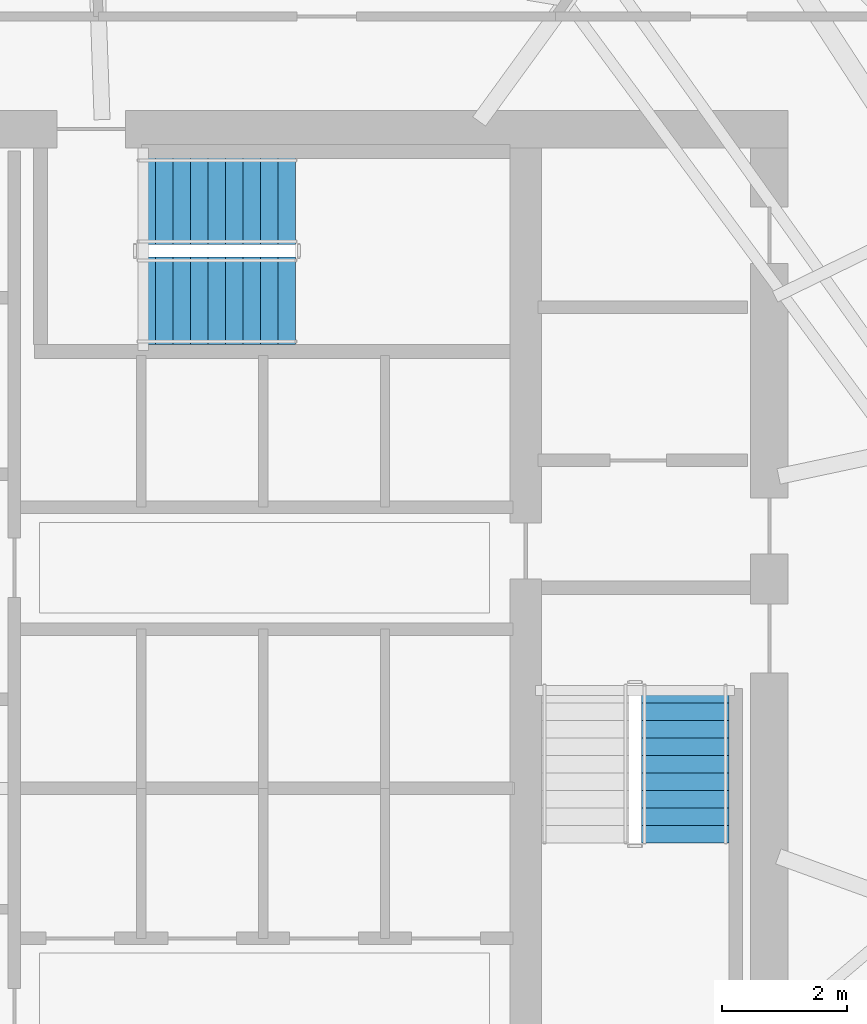
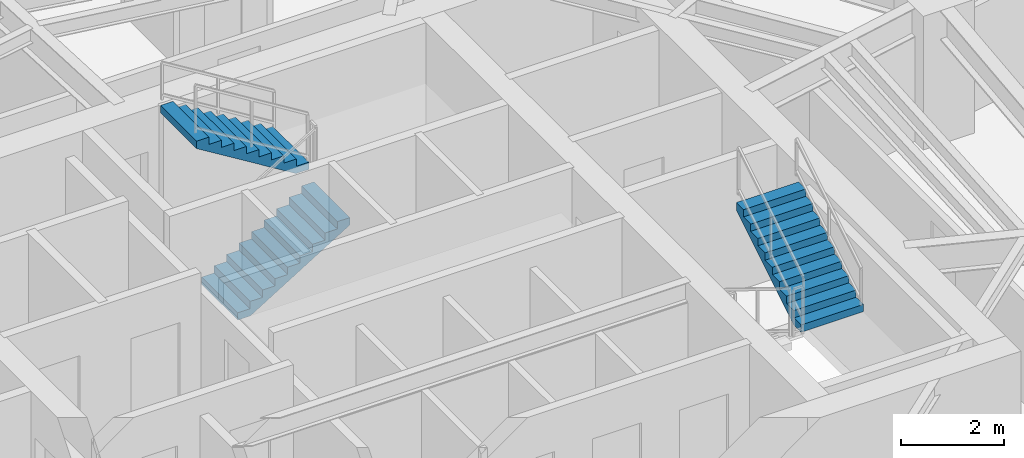
# One storey, part 27 of 30: 3 stair flights, 2 elements without a shape of their own.
"""IFC4 building model written with IfcOpenShell, lengths in metres."""

import ifcopenshell
import ifcopenshell.guid

model = None  # the IFC model being written
_history = None  # IfcOwnerHistory: only IFC2X3 demands one
_inside = {}  # id of a spatial element -> (the spatial element, [elements in it])
_under = {}  # id of a project, library or spatial element -> (it, [spatial elements below it])
_declared = {}  # id of a project -> (the project, [libraries it declares])
_typed = {}  # id of a type object -> (the type object, [elements of that type])
_made_of = {}  # id of a material, layer set ... -> (it, [elements and type objects made of it])


def new_model(schema):
    """Start an empty IFC model of exactly this schema.

    Asked for "IFC4X3", IfcOpenShell would pick the latest addendum, in which some entities
    have other attributes; the version numbers below select the first issue.
    IFC2X3 requires an IfcOwnerHistory on every rooted entity: one is made here for all.
    """
    global model, _history
    if schema == "IFC4X3":
        model = ifcopenshell.file(schema_version=(4, 3, 0, 0))
    else:
        model = ifcopenshell.file(schema=schema)
    _inside.clear()
    _under.clear()
    _declared.clear()
    _typed.clear()
    _made_of.clear()
    _history = None
    if model.schema == "IFC2X3":
        org = make("IfcOrganization", Name="unknown")
        user = make(
            "IfcPersonAndOrganization",
            ThePerson=make("IfcPerson", FamilyName="unknown"),
            TheOrganization=org,
        )
        app = make(
            "IfcApplication",
            ApplicationDeveloper=org,
            Version="unknown",
            ApplicationFullName="unknown",
            ApplicationIdentifier="unknown",
        )
        _history = make(
            "IfcOwnerHistory",
            OwningUser=user,
            OwningApplication=app,
            ChangeAction="ADDED",
            CreationDate=0,
        )
    return model


def make(cls, **values):
    """One entity of the class cls with the attributes given. An attribute that is None is left unset."""
    return model.create_entity(
        cls, **{name: value for name, value in values.items() if value is not None}
    )


def rooted(cls, **values):
    """An entity with a GlobalId (a new one), such as an element, a storey or a relation."""
    return make(cls, GlobalId=ifcopenshell.guid.new(), OwnerHistory=_history, **values)


def si_unit(unit_type, name, prefix=None):
    """IfcSIUnit, for example si_unit("LENGTHUNIT", "METRE", prefix="MILLI")."""
    return make("IfcSIUnit", UnitType=unit_type, Prefix=prefix, Name=name)


def assignment(units):
    """IfcUnitAssignment: the units of a project."""
    return None if units is None else make("IfcUnitAssignment", Units=units)


def point(xyz):
    """IfcCartesianPoint."""
    return None if xyz is None else make("IfcCartesianPoint", Coordinates=xyz)


def direction(xyz):
    """IfcDirection."""
    return None if xyz is None else make("IfcDirection", DirectionRatios=xyz)


def frame(location, z_axis=None, x_axis=None):
    """IfcAxis2Placement3D, a coordinate frame: its origin and axes. An axis left out is left unset."""
    return make(
        "IfcAxis2Placement3D",
        Location=point(location),
        Axis=direction(z_axis),
        RefDirection=direction(x_axis),
    )


def origin():
    """The frame at (0, 0, 0) with its axes left unset."""
    return frame((0.0, 0.0, 0.0))


def place(relative_to, where):
    """IfcLocalPlacement: puts the frame where relative to a parent placement (None: the world)."""
    return make(
        "IfcLocalPlacement", PlacementRelTo=relative_to, RelativePlacement=where
    )


def context(
    kind, dimensions, precision=None, world=None, true_north=None, identifier=None
):
    """IfcGeometricRepresentationContext, for example the 3D "Model" context."""
    return make(
        "IfcGeometricRepresentationContext",
        ContextIdentifier=identifier,
        ContextType=kind,
        CoordinateSpaceDimension=dimensions,
        Precision=precision,
        WorldCoordinateSystem=world,
        TrueNorth=true_north,
    )


def subcontext(parent, identifier, kind, view, scale=None):
    """IfcGeometricRepresentationSubContext, for example "Body" below "Model"."""
    return make(
        "IfcGeometricRepresentationSubContext",
        ContextIdentifier=identifier,
        ContextType=kind,
        ParentContext=parent,
        TargetScale=scale,
        TargetView=view,
    )


def project(units=None, contexts=None):
    """IfcProject with its units and contexts."""
    return rooted(
        "IfcProject",
        Name="project",
        RepresentationContexts=contexts,
        UnitsInContext=assignment(units),
    )


def spatial(cls, under=None, at=None, **own):
    """A site, building, storey or space (cls), placed at a placement, below another one or the project."""
    s = rooted(cls, ObjectPlacement=at, **own)
    if under is not None:
        _under.setdefault(under.id(), (under, []))[1].append(s)
    return s


def polyline(points):
    """IfcPolyline through the points."""
    return make("IfcPolyline", Points=[point(p) for p in points])


def outline(outer, holes=None, kind="AREA"):
    """IfcArbitraryClosedProfileDef: a profile drawn as a closed curve; with holes, ...WithVoids."""
    if holes is None:
        return make("IfcArbitraryClosedProfileDef", ProfileType=kind, OuterCurve=outer)
    return make(
        "IfcArbitraryProfileDefWithVoids",
        ProfileType=kind,
        OuterCurve=outer,
        InnerCurves=holes,
    )


def extrude(swept, where, along, depth):
    """IfcExtrudedAreaSolid: the profile swept, set in the frame where, extruded along a direction by depth."""
    return make(
        "IfcExtrudedAreaSolid",
        SweptArea=swept,
        Position=where,
        ExtrudedDirection=direction(along),
        Depth=depth,
    )


def shape(context_of_items, identifier, shape_type, items):
    """IfcShapeRepresentation: the items that make up one representation, for example the "Body"."""
    return make(
        "IfcShapeRepresentation",
        ContextOfItems=context_of_items,
        RepresentationIdentifier=identifier,
        RepresentationType=shape_type,
        Items=items,
    )


def material(Name=None, Category=None):
    """IfcMaterial."""
    return make("IfcMaterial", Name=Name, Category=Category)


def made_of(thing, what):
    """Note that an element or type object is made of a material, layer set ...; save() writes the relation."""
    if what is not None:
        _made_of.setdefault(what.id(), (what, []))[1].append(thing)
    return thing


def type_object(cls, material=None, **own):
    """A type object (cls), such as IfcWallType, which elements share."""
    return made_of(rooted(cls, **own), material)


def element(
    cls,
    number,
    at=None,
    inside=None,
    cuts=None,
    type_object=None,
    material=None,
    context=None,
    identifier="Body",
    shape_type=None,
    held_by="IfcProductDefinitionShape",
    body=None,
    shapes=None,
    **own,
):
    """One element of the class cls, such as IfcWall. Its Tag is "e" and its number.

    at: its placement. inside: the storey or other place that contains it. cuts: it is an
    opening in that element (IfcRelVoidsElement). A single representation is given by context,
    identifier, shape_type and body (its items); several are given by shapes. held_by: the class
    of the entity that holds the representations. save() writes the other relations.
    """
    e = rooted(cls, Tag="e%d" % number, ObjectPlacement=at, **own)
    if body is not None:
        shapes = [shape(context, identifier, shape_type, body)]
    if shapes is not None:
        e.Representation = make(held_by, Representations=shapes)
    if inside is not None:
        _inside.setdefault(inside.id(), (inside, []))[1].append(e)
    if cuts is not None:
        rooted(
            "IfcRelVoidsElement", RelatingBuildingElement=cuts, RelatedOpeningElement=e
        )
    if type_object is not None:
        _typed.setdefault(type_object.id(), (type_object, []))[1].append(e)
    return made_of(e, material)


def aggregate(whole, parts):
    """IfcRelAggregates: a whole, such as a stair, and the parts it consists of."""
    return rooted("IfcRelAggregates", RelatingObject=whole, RelatedObjects=parts)


def save(model, path):
    """Write the relations noted so far, then the file.

    IfcRelAggregates (storeys below a building ...), IfcRelContainedInSpatialStructure (elements
    in a storey), IfcRelDefinesByType, IfcRelAssociatesMaterial and IfcRelDeclares: one each for
    every whole, place, type object, material and project.
    """
    for whole, parts in _under.values():
        aggregate(whole, parts)
    for where, things in _inside.values():
        rooted(
            "IfcRelContainedInSpatialStructure",
            RelatedElements=things,
            RelatingStructure=where,
        )
    for kind, things in _typed.values():
        rooted("IfcRelDefinesByType", RelatedObjects=things, RelatingType=kind)
    for what, things in _made_of.values():
        rooted("IfcRelAssociatesMaterial", RelatedObjects=things, RelatingMaterial=what)
    for by, libraries in _declared.values():
        rooted("IfcRelDeclares", RelatingContext=by, RelatedDefinitions=libraries)
    model.write(path)


model = new_model("IFC4")

# Units and contexts
model_context = context("Model", 3, precision=1e-05, world=origin(), true_north=direction((0.0, 1.0)))
body_context = subcontext(model_context, "Body", "Model", "MODEL_VIEW")
ifc_project = project(units=[si_unit("LENGTHUNIT", "METRE"), si_unit("AREAUNIT", "SQUARE_METRE"), si_unit("VOLUMEUNIT", "CUBIC_METRE"), si_unit("PLANEANGLEUNIT", "RADIAN"), si_unit("MASSUNIT", "GRAM", prefix="KILO")], contexts=[model_context])

# Site, building, storey
site_placement = place(None, origin())
site = spatial("IfcSite", under=ifc_project, at=site_placement, CompositionType="ELEMENT")
building_placement = place(site_placement, origin())
building = spatial("IfcBuilding", under=site, at=building_placement, Name="Qarnah Convention Tower", CompositionType="ELEMENT")
storey_placement = place(building_placement, frame((0.0, 0.0, 93.60009765625)))
storey = spatial("IfcBuildingStorey", under=building, at=storey_placement, Name="L24", CompositionType="ELEMENT", Elevation=93.60009765625)

# Stair, stair flight
ifc_material = material(Name="Concrete C50/60", Category="concrete")
stair_type = type_object("IfcStairType", Name="STR-HTL", PredefinedType="HALF_TURN_STAIR", material=ifc_material)
stair_1_placement = place(storey_placement, origin())
stair_1 = element("IfcStair", 1, at=stair_1_placement, inside=storey, type_object=stair_type, Name="L24 Core exit stair ST-2", PredefinedType="HALF_TURN_STAIR")
stair_flight_type = type_object("IfcStairFlightType", Name="FLT-HTL", PredefinedType="STRAIGHT", material=ifc_material)
stair_flight_1_placement = place(storey_placement, frame((46.25, 22.780029296875, 1.724853515625), z_axis=(0.0, 0.0, 1.0), x_axis=(0.0, 1.0, 0.0)))
stair_flight_1 = element("IfcStairFlight", 2, at=stair_flight_1_placement, type_object=stair_flight_type, Name="ST-2 flight 2", NumberOfRisers=10, NumberOfTreads=9, PredefinedType="STRAIGHT", RiserHeight=0.1725, TreadLength=0.28, context=body_context, shape_type="SweptSolid", body=[
    extrude(outline(polyline([(0.0, 0.0), (0.0, 0.172607421875), (0.280029296875, 0.172607421875), (0.280029296875, 0.344970703125), (0.56005859375, 0.344970703125), (0.56005859375, 0.517578125), (0.840087890625, 0.517578125), (0.840087890625, 0.68994140625), (1.1201171875, 0.68994140625), (1.1201171875, 0.862548828125), (1.39990234375, 0.862548828125), (1.39990234375, 1.034912109375), (1.679931640625, 1.034912109375), (1.679931640625, 1.20751953125), (1.9599609375, 1.20751953125), (1.9599609375, 1.3798828125), (2.239990234375, 1.3798828125), (2.239990234375, 1.552490234375), (2.52001953125, 1.552490234375), (2.52001953125, 1.72509765625), (2.52001953125, 1.37646484375), (0.285888671875, 0.0), (0.0, 0.0)])), frame((0.0, 0.699951171875, 0.0), z_axis=(0.0, -1.0, 0.0), x_axis=(1.0, 0.0, 0.0)), (0.0, 0.0, 1.0), 1.39990234375),
])
aggregate(stair_1, [stair_flight_1])

# Stair, stair flights
stair_2_placement = place(storey_placement, origin())
stair_2 = element("IfcStair", 3, at=stair_2_placement, inside=storey, type_object=stair_type, Name="L24 Core exit stair ST-3", PredefinedType="HALF_TURN_STAIR")
stair_flight_2_placement = place(storey_placement, frame((37.5, 31.449951171875, 0.0), z_axis=(0.0, 0.0, 1.0), x_axis=(1.0, 0.0, 0.0)))
stair_flight_2 = element("IfcStairFlight", 4, at=stair_flight_2_placement, type_object=stair_flight_type, Name="ST-3 flight 1", NumberOfRisers=10, NumberOfTreads=9, PredefinedType="STRAIGHT", RiserHeight=0.1725, TreadLength=0.28, context=body_context, shape_type="SweptSolid", body=[
    extrude(outline(polyline([(0.0, 0.0), (0.0, 0.172607421875), (0.280029296875, 0.172607421875), (0.280029296875, 0.344970703125), (0.56005859375, 0.344970703125), (0.56005859375, 0.517578125), (0.840087890625, 0.517578125), (0.840087890625, 0.68994140625), (1.1201171875, 0.68994140625), (1.1201171875, 0.862548828125), (1.39990234375, 0.862548828125), (1.39990234375, 1.034912109375), (1.679931640625, 1.034912109375), (1.679931640625, 1.20751953125), (1.9599609375, 1.20751953125), (1.9599609375, 1.3798828125), (2.239990234375, 1.3798828125), (2.239990234375, 1.552490234375), (2.52001953125, 1.552490234375), (2.52001953125, 1.72509765625), (2.52001953125, 1.37646484375), (0.285888671875, 0.0), (0.0, 0.0)])), frame((0.0, 0.699951171875, 0.0), z_axis=(0.0, -1.0, 0.0), x_axis=(1.0, 0.0, 0.0)), (0.0, 0.0, 1.0), 1.39990234375),
])
stair_flight_3_placement = place(storey_placement, frame((40.02001953125, 33.050048828125, 1.724853515625), z_axis=(0.0, 0.0, 1.0), x_axis=(-1.0, 0.0, 0.0)))
stair_flight_3 = element("IfcStairFlight", 5, at=stair_flight_3_placement, type_object=stair_flight_type, Name="ST-3 flight 2", NumberOfRisers=10, NumberOfTreads=9, PredefinedType="STRAIGHT", RiserHeight=0.1725, TreadLength=0.28, context=body_context, shape_type="SweptSolid", body=[
    extrude(outline(polyline([(0.0, 0.0), (0.0, 0.172607421875), (0.280029296875, 0.172607421875), (0.280029296875, 0.344970703125), (0.56005859375, 0.344970703125), (0.56005859375, 0.517578125), (0.840087890625, 0.517578125), (0.840087890625, 0.68994140625), (1.1201171875, 0.68994140625), (1.1201171875, 0.862548828125), (1.39990234375, 0.862548828125), (1.39990234375, 1.034912109375), (1.679931640625, 1.034912109375), (1.679931640625, 1.20751953125), (1.9599609375, 1.20751953125), (1.9599609375, 1.3798828125), (2.239990234375, 1.3798828125), (2.239990234375, 1.552490234375), (2.52001953125, 1.552490234375), (2.52001953125, 1.72509765625), (2.52001953125, 1.37646484375), (0.285888671875, 0.0), (0.0, 0.0)])), frame((0.0, 0.699951171875, 0.0), z_axis=(0.0, -1.0, 0.0), x_axis=(1.0, 0.0, 0.0)), (0.0, 0.0, 1.0), 1.39990234375),
])
aggregate(stair_2, [stair_flight_2, stair_flight_3])

save(model, "model.ifc")
